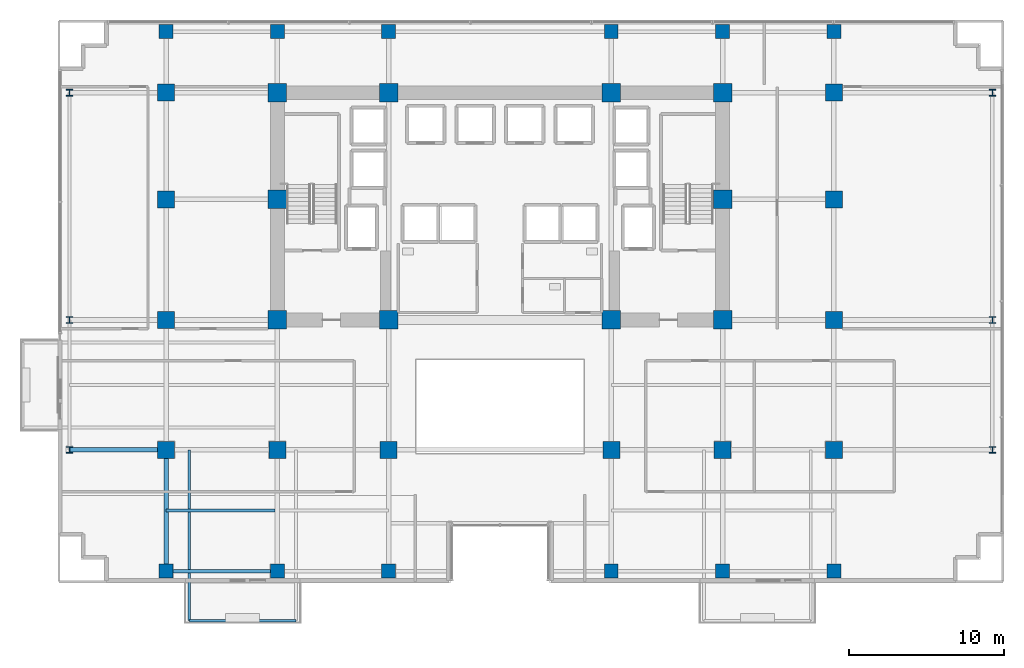
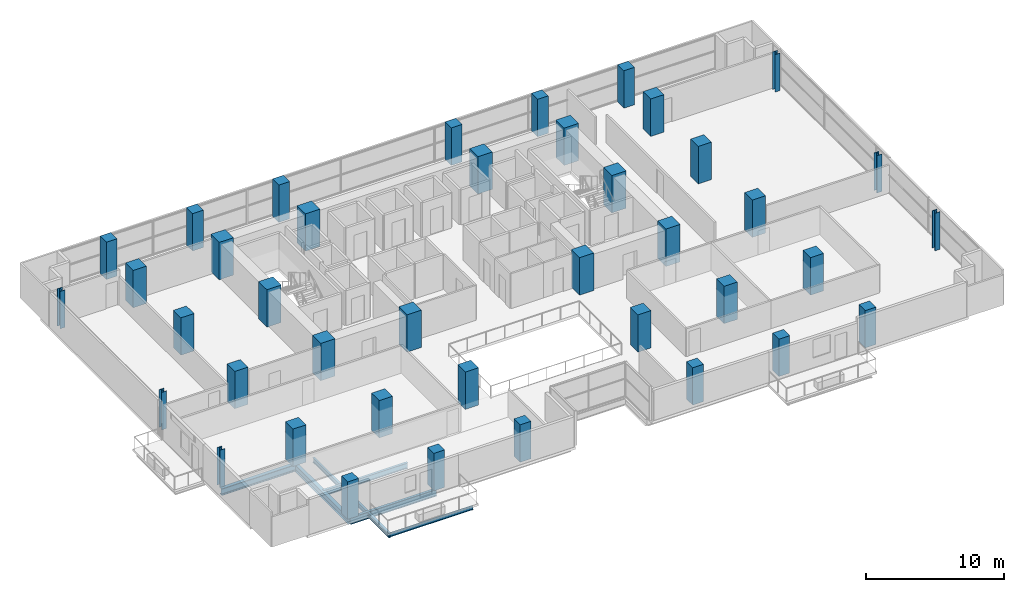
# One storey, part 1 of 31: 40 columns, 6 beams.
"""IFC4 building model written with IfcOpenShell, lengths in metres."""

from ifc_helpers import new_model, si_unit, direction, frame, origin, origin_2d, place, context, subcontext, project, spatial, rectangle, i_section, extrude, material, material_profile, profile_set, type_object, element, save


model = new_model("IFC4")

# Units and contexts
model_context = context("Model", 3, precision=1e-05, world=origin(), true_north=direction((0.0, 1.0)))
body_context = subcontext(model_context, "Body", "Model", "MODEL_VIEW")
ifc_project = project(units=[si_unit("LENGTHUNIT", "METRE"), si_unit("AREAUNIT", "SQUARE_METRE"), si_unit("VOLUMEUNIT", "CUBIC_METRE"), si_unit("PLANEANGLEUNIT", "RADIAN"), si_unit("MASSUNIT", "GRAM", prefix="KILO")], contexts=[model_context])

# Site, building, storey
site_placement = place(None, origin())
site = spatial("IfcSite", under=ifc_project, at=site_placement, CompositionType="ELEMENT")
building_placement = place(site_placement, origin())
building = spatial("IfcBuilding", under=site, at=building_placement, Name="Zarnakvel Exchange Tower", CompositionType="ELEMENT")
storey_placement = place(building_placement, frame((0.0, 0.0, 60.39990234375)))
storey = spatial("IfcBuildingStorey", under=building, at=storey_placement, Name="L16", CompositionType="ELEMENT", Elevation=60.39990234375)

# Columns
ifc_material_1 = material(Name="Concrete C80/95", Category="concrete")
ifc_material_profile_1 = material_profile(ifc_material_1, rectangle(XDim=1.199951171875, YDim=1.199951171875, at=origin_2d()))
ifc_profile_set_1 = profile_set([ifc_material_profile_1], Name="Concrete C80/95")
column_type_1 = type_object("IfcColumnType", Name="CC-01", PredefinedType="COLUMN", material=ifc_profile_set_1)
for number, where, z_axis, x_axis, name in (
    (1, (-14.39990234375, -1.199951171875, 0.0), (0.0, 0.0, 1.0), (1.0, 0.0, 0.0), "L16 Column C-4D (CC-01)"),
    (2, (-7.199951171875, -1.199951171875, 0.0), (0.0, 0.0, 1.0), (1.0, 0.0, 0.0), "L16 Column C-5D (CC-01)"),
    (3, (7.199951171875, -1.199951171875, 0.0), (0.0, 0.0, 1.0), (1.0, 0.0, 0.0), "L16 Column C-8D (CC-01)"),
    (4, (14.39990234375, -1.199951171875, 0.0), (0.0, 0.0, 1.0), (1.0, 0.0, 0.0), "L16 Column C-9D (CC-01)"),
    (5, (-14.39990234375, 6.60009765625, 0.0), (0.0, 0.0, 1.0), (1.0, 0.0, 0.0), "L16 Column C-4E (CC-01)"),
    (6, (14.39990234375, 6.60009765625, 0.0), (0.0, 0.0, 1.0), (1.0, 0.0, 0.0), "L16 Column C-9E (CC-01)"),
    (7, (-14.39990234375, 13.5, 0.0), (0.0, 0.0, 1.0), (1.0, 0.0, 0.0), "L16 Column C-4F (CC-01)"),
    (8, (-7.199951171875, 13.5, 0.0), (0.0, 0.0, 1.0), (1.0, 0.0, 0.0), "L16 Column C-5F (CC-01)"),
    (9, (7.199951171875, 13.5, 0.0), (0.0, 0.0, 1.0), (1.0, 0.0, 0.0), "L16 Column C-8F (CC-01)"),
    (10, (14.39990234375, 13.5, 0.0), (0.0, 0.0, 1.0), (1.0, 0.0, 0.0), "L16 Column C-9F (CC-01)"),
):
    element("IfcColumn", number, at=place(storey_placement, frame(where, z_axis=z_axis, x_axis=x_axis)), inside=storey, type_object=column_type_1, Name=name, PredefinedType="COLUMN", context=body_context, shape_type="SweptSolid", body=[
        extrude(rectangle(XDim=1.199951171875, YDim=1.199951171875, at=origin_2d()), origin(), (0.0, 0.0, 1.0), 3.300048828125),
    ])
ifc_material_2 = material(Name="Steel S355", Category="steel")
ifc_material_profile_2 = material_profile(ifc_material_2, i_section(OverallWidth=0.412109375, OverallDepth=0.425048828125, WebThickness=0.02587890625, FlangeThickness=0.0390625, FilletRadius=0.014892578125, at=origin_2d()))
ifc_profile_set_2 = profile_set([ifc_material_profile_2], Name="Steel S355")
column_type_2 = type_object("IfcColumnType", Name="SC-01", PredefinedType="COLUMN", material=ifc_profile_set_2)
for number, where, z_axis, x_axis, name in (
    (11, (-27.85009765625, -9.60009765625, 0.0), (0.0, 0.0, 1.0), (1.0, 0.0, 0.0), "L16 Column TW-C (SC-01)"),
    (12, (31.85009765625, -9.60009765625, 0.0), (0.0, 0.0, 1.0), (1.0, 0.0, 0.0), "L16 Column TE-C (SC-01)"),
    (13, (-27.85009765625, -1.199951171875, 0.0), (0.0, 0.0, 1.0), (1.0, 0.0, 0.0), "L16 Column TW-D (SC-01)"),
    (14, (31.85009765625, -1.199951171875, 0.0), (0.0, 0.0, 1.0), (1.0, 0.0, 0.0), "L16 Column TE-D (SC-01)"),
    (15, (-27.85009765625, 13.5, 0.0), (0.0, 0.0, 1.0), (1.0, 0.0, 0.0), "L16 Column TW-F (SC-01)"),
    (16, (31.85009765625, 13.5, 0.0), (0.0, 0.0, 1.0), (1.0, 0.0, 0.0), "L16 Column TE-F (SC-01)"),
):
    element("IfcColumn", number, at=place(storey_placement, frame(where, z_axis=z_axis, x_axis=x_axis)), inside=storey, type_object=column_type_2, Name=name, PredefinedType="COLUMN", context=body_context, shape_type="SweptSolid", body=[
        extrude(i_section(OverallWidth=0.412109375, OverallDepth=0.425048828125, WebThickness=0.02587890625, FlangeThickness=0.0390625, FilletRadius=0.014892578125, at=origin_2d()), origin(), (0.0, 0.0, 1.0), 3.300048828125),
    ])
ifc_material_profile_3 = material_profile(ifc_material_1, rectangle(XDim=1.10009765625, YDim=1.10009765625, at=origin_2d()))
ifc_profile_set_3 = profile_set([ifc_material_profile_3], Name="Concrete C80/95")
column_type_3 = type_object("IfcColumnType", Name="TC-01", PredefinedType="COLUMN", material=ifc_profile_set_3)
for number, where, z_axis, x_axis, name in (
    (17, (-14.39990234375, -9.60009765625, 0.0), (0.0, 0.0, 1.0), (1.0, 0.0, 0.0), "L16 Column T-4C (TC-01)"),
    (18, (-7.199951171875, -9.60009765625, 0.0), (0.0, 0.0, 1.0), (1.0, 0.0, 0.0), "L16 Column T-5C (TC-01)"),
    (19, (7.199951171875, -9.60009765625, 0.0), (0.0, 0.0, 1.0), (1.0, 0.0, 0.0), "L16 Column T-8C (TC-01)"),
    (20, (14.39990234375, -9.60009765625, 0.0), (0.0, 0.0, 1.0), (1.0, 0.0, 0.0), "L16 Column T-9C (TC-01)"),
    (21, (-21.60009765625, -9.60009765625, 0.0), (0.0, 0.0, 1.0), (1.0, 0.0, 0.0), "L16 Column T-3C (TC-01)"),
    (22, (-21.60009765625, -1.199951171875, 0.0), (0.0, 0.0, 1.0), (1.0, 0.0, 0.0), "L16 Column T-3D (TC-01)"),
    (23, (-21.60009765625, 6.60009765625, 0.0), (0.0, 0.0, 1.0), (1.0, 0.0, 0.0), "L16 Column T-3E (TC-01)"),
    (24, (-21.60009765625, 13.5, 0.0), (0.0, 0.0, 1.0), (1.0, 0.0, 0.0), "L16 Column T-3F (TC-01)"),
    (25, (21.60009765625, -9.60009765625, 0.0), (0.0, 0.0, 1.0), (1.0, 0.0, 0.0), "L16 Column T-10C (TC-01)"),
    (26, (21.60009765625, -1.199951171875, 0.0), (0.0, 0.0, 1.0), (1.0, 0.0, 0.0), "L16 Column T-10D (TC-01)"),
    (27, (21.60009765625, 6.60009765625, 0.0), (0.0, 0.0, 1.0), (1.0, 0.0, 0.0), "L16 Column T-10E (TC-01)"),
    (28, (21.60009765625, 13.5, 0.0), (0.0, 0.0, 1.0), (1.0, 0.0, 0.0), "L16 Column T-10F (TC-01)"),
):
    element("IfcColumn", number, at=place(storey_placement, frame(where, z_axis=z_axis, x_axis=x_axis)), inside=storey, type_object=column_type_3, Name=name, PredefinedType="COLUMN", context=body_context, shape_type="SweptSolid", body=[
        extrude(rectangle(XDim=1.10009765625, YDim=1.10009765625, at=origin_2d()), origin(), (0.0, 0.0, 1.0), 3.300048828125),
    ])
ifc_material_3 = material(Name="Concrete C60/75", Category="concrete")
ifc_material_profile_4 = material_profile(ifc_material_3, rectangle(XDim=0.89990234375, YDim=0.89990234375, at=origin_2d()))
ifc_profile_set_4 = profile_set([ifc_material_profile_4], Name="Concrete C60/75")
column_type_4 = type_object("IfcColumnType", Name="TC-02", PredefinedType="COLUMN", material=ifc_profile_set_4)
for number, where, z_axis, x_axis, name in (
    (29, (-14.39990234375, -17.449951171875, 0.0), (0.0, 0.0, 1.0), (1.0, 0.0, 0.0), "L16 Column TS-4 (TC-02)"),
    (30, (-14.39990234375, 17.449951171875, 0.0), (0.0, 0.0, 1.0), (1.0, 0.0, 0.0), "L16 Column TN-4 (TC-02)"),
    (31, (-7.199951171875, -17.449951171875, 0.0), (0.0, 0.0, 1.0), (1.0, 0.0, 0.0), "L16 Column TS-5 (TC-02)"),
    (32, (-7.199951171875, 17.449951171875, 0.0), (0.0, 0.0, 1.0), (1.0, 0.0, 0.0), "L16 Column TN-5 (TC-02)"),
    (33, (7.199951171875, -17.449951171875, 0.0), (0.0, 0.0, 1.0), (1.0, 0.0, 0.0), "L16 Column TS-8 (TC-02)"),
    (34, (7.199951171875, 17.449951171875, 0.0), (0.0, 0.0, 1.0), (1.0, 0.0, 0.0), "L16 Column TN-8 (TC-02)"),
    (35, (14.39990234375, -17.449951171875, 0.0), (0.0, 0.0, 1.0), (1.0, 0.0, 0.0), "L16 Column TS-9 (TC-02)"),
    (36, (14.39990234375, 17.449951171875, 0.0), (0.0, 0.0, 1.0), (1.0, 0.0, 0.0), "L16 Column TN-9 (TC-02)"),
    (37, (-21.60009765625, -17.449951171875, 0.0), (0.0, 0.0, 1.0), (1.0, 0.0, 0.0), "L16 Column TS-3 (TC-02)"),
    (38, (-21.60009765625, 17.449951171875, 0.0), (0.0, 0.0, 1.0), (1.0, 0.0, 0.0), "L16 Column TN-3 (TC-02)"),
    (39, (21.60009765625, -17.449951171875, 0.0), (0.0, 0.0, 1.0), (1.0, 0.0, 0.0), "L16 Column TS-10 (TC-02)"),
    (40, (21.60009765625, 17.449951171875, 0.0), (0.0, 0.0, 1.0), (1.0, 0.0, 0.0), "L16 Column TN-10 (TC-02)"),
):
    element("IfcColumn", number, at=place(storey_placement, frame(where, z_axis=z_axis, x_axis=x_axis)), inside=storey, type_object=column_type_4, Name=name, PredefinedType="COLUMN", context=body_context, shape_type="SweptSolid", body=[
        extrude(rectangle(XDim=0.89990234375, YDim=0.89990234375, at=origin_2d()), origin(), (0.0, 0.0, 1.0), 3.300048828125),
    ])

# Beams
ifc_material_profile_5 = material_profile(ifc_material_2, i_section(OverallWidth=0.199951171875, OverallDepth=0.5, WebThickness=0.01025390625, FlangeThickness=0.01611328125, FilletRadius=0.02099609375, at=origin_2d()))
ifc_profile_set_5 = profile_set([ifc_material_profile_5], Name="Steel S355")
beam_type_1 = type_object("IfcBeamType", Name="B-04", PredefinedType="JOIST", material=ifc_profile_set_5)
beam_1_placement = place(storey_placement, frame((-21.60009765625, -13.52490234375, -0.474853515625), z_axis=(1.0, 0.0, 0.0), x_axis=(0.0, 1.0, 0.0)))
element("IfcBeam", 41, at=beam_1_placement, inside=storey, type_object=beam_type_1, Name="L16 Composite Floor Secondary Joist", PredefinedType="JOIST", context=body_context, shape_type="SweptSolid", body=[
    extrude(i_section(OverallWidth=0.199951171875, OverallDepth=0.5, WebThickness=0.01025390625, FlangeThickness=0.01611328125, FilletRadius=0.02099609375, at=origin_2d()), origin(), (0.0, 0.0, 1.0), 7.050048828125),
])
ifc_material_profile_6 = material_profile(ifc_material_2, i_section(OverallWidth=0.179931640625, OverallDepth=0.39990234375, WebThickness=0.008544921875, FlangeThickness=0.013427734375, FilletRadius=0.02099609375, at=origin_2d()))
ifc_profile_set_6 = profile_set([ifc_material_profile_6], Name="Steel S355")
beam_type_2 = type_object("IfcBeamType", Name="B-06", PredefinedType="JOIST", material=ifc_profile_set_6)
beam_2_placement = place(storey_placement, frame((-20.10009765625, -9.60009765625, -0.4248046875), z_axis=(0.0, -1.0, 0.0), x_axis=(1.0, 0.0, 0.0)))
element("IfcBeam", 42, at=beam_2_placement, inside=storey, type_object=beam_type_2, Name="L16 Continuous Back-Spanned Balcony Beam W", PredefinedType="JOIST", context=body_context, shape_type="SweptSolid", body=[
    extrude(i_section(OverallWidth=0.179931640625, OverallDepth=0.39990234375, WebThickness=0.008544921875, FlangeThickness=0.013427734375, FilletRadius=0.02099609375, at=origin_2d()), origin(), (0.0, 0.0, 1.0), 11.0498046875),
])
ifc_material_profile_7 = material_profile(ifc_material_2, i_section(OverallWidth=0.14990234375, OverallDepth=0.300048828125, WebThickness=0.007080078125, FlangeThickness=0.0107421875, FilletRadius=0.014892578125, at=origin_2d()))
ifc_profile_set_7 = profile_set([ifc_material_profile_7], Name="Steel S355")
beam_type_3 = type_object("IfcBeamType", Name="B-08", PredefinedType="JOIST", material=ifc_profile_set_7)
beam_3_placement = place(storey_placement, frame((-20.10009765625, -20.64990234375, -0.375), z_axis=(1.0, 0.0, 0.0), x_axis=(0.0, 1.0, 0.0)))
element("IfcBeam", 43, at=beam_3_placement, inside=storey, type_object=beam_type_3, Name="L16 Balcony Edge Beam", PredefinedType="JOIST", context=body_context, shape_type="SweptSolid", body=[
    extrude(i_section(OverallWidth=0.14990234375, OverallDepth=0.300048828125, WebThickness=0.007080078125, FlangeThickness=0.0107421875, FilletRadius=0.014892578125, at=origin_2d()), origin(), (0.0, 0.0, 1.0), 6.900146484375),
])
ifc_material_profile_8 = material_profile(ifc_material_2, i_section(OverallWidth=0.300048828125, OverallDepth=0.60009765625, WebThickness=0.015380859375, FlangeThickness=0.030029296875, FilletRadius=0.027099609375, at=origin_2d()))
ifc_profile_set_8 = profile_set([ifc_material_profile_8], Name="Steel S355")
beam_type_4 = type_object("IfcBeamType", Name="G-04", PredefinedType="BEAM", material=ifc_profile_set_8)
beam_4_placement = place(storey_placement, frame((-27.85009765625, -9.60009765625, -0.52490234375), z_axis=(1.0, 0.0, 0.0), x_axis=(0.0, 1.0, 0.0)))
element("IfcBeam", 44, at=beam_4_placement, inside=storey, type_object=beam_type_4, Name="L16 Tower E-W Frame Beam", PredefinedType="BEAM", context=body_context, shape_type="SweptSolid", body=[
    extrude(i_section(OverallWidth=0.300048828125, OverallDepth=0.60009765625, WebThickness=0.015380859375, FlangeThickness=0.030029296875, FilletRadius=0.027099609375, at=origin_2d()), origin(), (0.0, 0.0, 1.0), 6.25),
])
beam_5_placement = place(storey_placement, frame((-21.60009765625, -17.449951171875, -0.52490234375), z_axis=(0.0, 1.0, 0.0), x_axis=(-1.0, 0.0, 0.0)))
element("IfcBeam", 45, at=beam_5_placement, inside=storey, type_object=beam_type_4, Name="L16 Tower N-S Frame Beam", PredefinedType="BEAM", context=body_context, shape_type="SweptSolid", body=[
    extrude(i_section(OverallWidth=0.300048828125, OverallDepth=0.60009765625, WebThickness=0.015380859375, FlangeThickness=0.030029296875, FilletRadius=0.027099609375, at=origin_2d()), origin(), (0.0, 0.0, 1.0), 7.849853515625),
])
ifc_material_profile_9 = material_profile(ifc_material_2, i_section(OverallWidth=0.219970703125, OverallDepth=0.60009765625, WebThickness=0.011962890625, FlangeThickness=0.01904296875, FilletRadius=0.02392578125, at=origin_2d()))
ifc_profile_set_9 = profile_set([ifc_material_profile_9], Name="Steel S355")
beam_type_5 = type_object("IfcBeamType", Name="SP-01", PredefinedType="SPANDREL", material=ifc_profile_set_9)
beam_6_placement = place(storey_placement, frame((-21.60009765625, -17.449951171875, -0.52490234375), z_axis=(1.0, 0.0, 0.0), x_axis=(0.0, 1.0, 0.0)))
element("IfcBeam", 46, at=beam_6_placement, inside=storey, type_object=beam_type_5, Name="L16 Tower E-W Frame Beam", PredefinedType="SPANDREL", context=body_context, shape_type="SweptSolid", body=[
    extrude(i_section(OverallWidth=0.219970703125, OverallDepth=0.60009765625, WebThickness=0.011962890625, FlangeThickness=0.01904296875, FilletRadius=0.02392578125, at=origin_2d()), origin(), (0.0, 0.0, 1.0), 7.2001953125),
])

save(model, "model.ifc")
